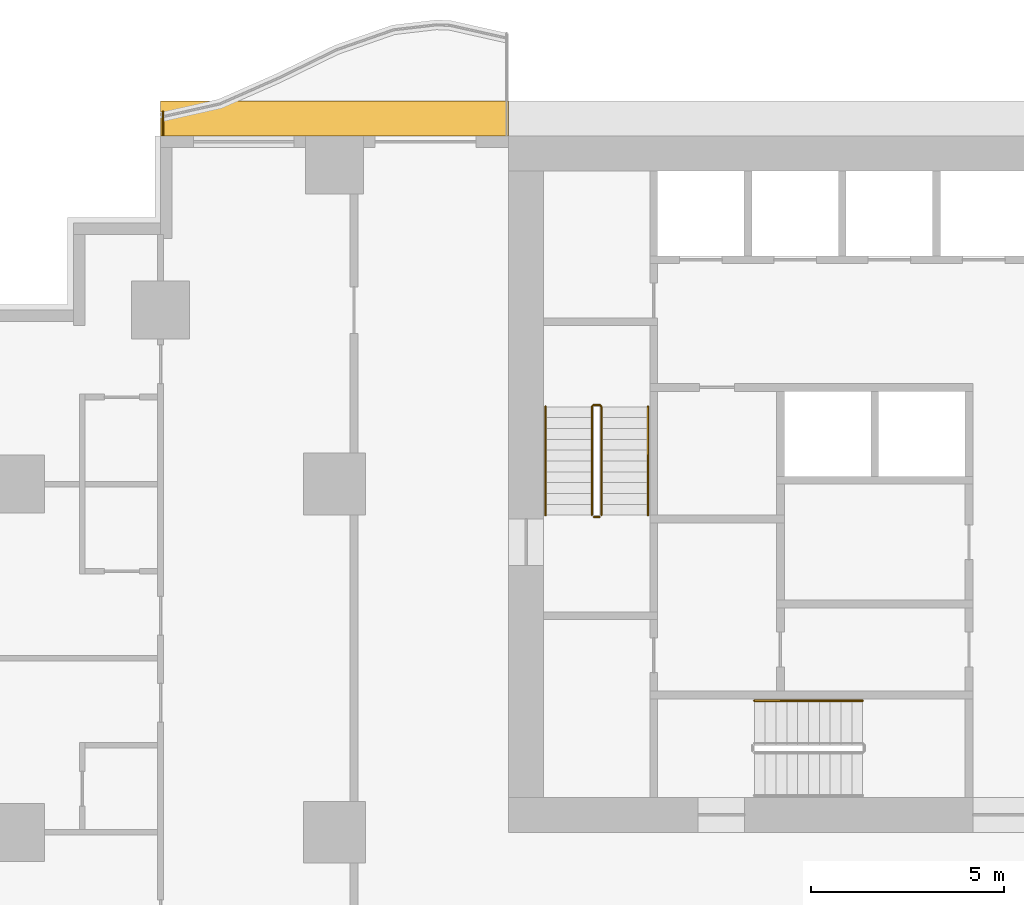
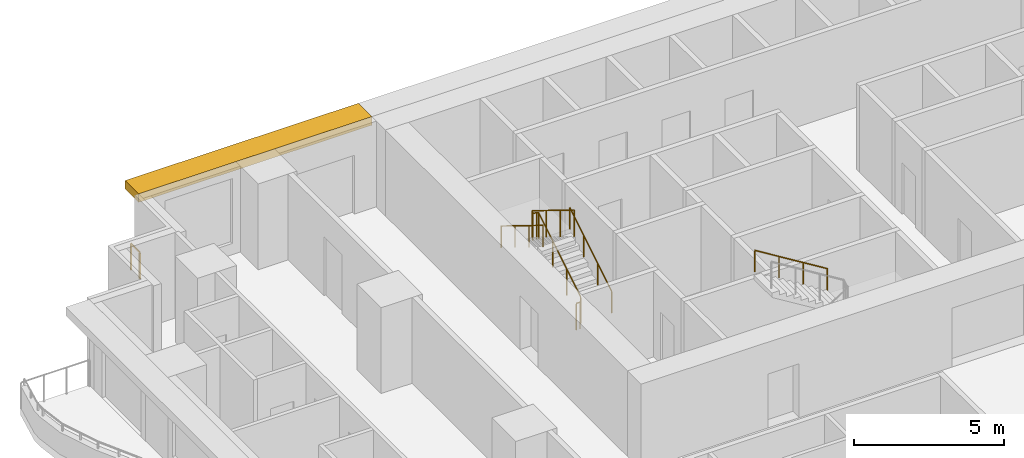
# One storey, part 12 of 14: 6 railings, 1 shading device.
"""IFC4 building model written with IfcOpenShell, lengths in metres."""

from ifc_helpers import new_model, si_unit, direction, frame, origin, origin_2d, place, context, subcontext, project, spatial, polyline, rectangle, circle, outline, extrude, material, layer, layer_set, type_object, element, save


model = new_model("IFC4")

# Units and contexts
model_context = context("Model", 3, precision=1e-05, world=origin(), true_north=direction((0.0, 1.0)))
body_context = subcontext(model_context, "Body", "Model", "MODEL_VIEW")
ifc_project = project(units=[si_unit("LENGTHUNIT", "METRE"), si_unit("AREAUNIT", "SQUARE_METRE"), si_unit("VOLUMEUNIT", "CUBIC_METRE"), si_unit("PLANEANGLEUNIT", "RADIAN"), si_unit("MASSUNIT", "GRAM", prefix="KILO")], contexts=[model_context])

# Site, building, storey
site_placement = place(None, origin())
site = spatial("IfcSite", under=ifc_project, at=site_placement, CompositionType="ELEMENT")
building_placement = place(site_placement, origin())
building = spatial("IfcBuilding", under=site, at=building_placement, Name="Orbiselva Terraces", CompositionType="ELEMENT")
storey_placement = place(building_placement, frame((0.0, 0.0, 18.8)))
storey = spatial("IfcBuildingStorey", under=building, at=storey_placement, Name="L04", CompositionType="ELEMENT", Elevation=18.8)

# Railings
ifc_material_1 = material(Name="Stainless steel", Category="steel")
railing_type_1 = type_object("IfcRailingType", Name="CORE-GUARD-1100", PredefinedType="GUARDRAIL", material=ifc_material_1)
railing_1_placement = place(storey_placement, frame((-11.1, 12.7, 0.172727)))
element("IfcRailing", 1, at=railing_1_placement, inside=storey, type_object=railing_type_1, Name="L04 S1 stair guard 1", PredefinedType="GUARDRAIL", context=body_context, shape_type="SweptSolid", body=[
    extrude(circle(Radius=0.024, at=origin_2d()), frame((0.0, 0.0, 1.081), z_axis=(0.0, 0.851088519012, 0.52502222125), x_axis=(-1.0, 0.0, 0.0)), (0.0, 0.0, 1.0), 3.289905),
    extrude(circle(Radius=0.024, at=origin_2d()), frame((0.0, 2.8, 2.808273), z_axis=(-0.707106781187, 0.707106781187, 0.0), x_axis=(-0.707106781187, -0.707106781187, 0.0)), (0.0, 0.0, 1.0), 0.070711),
    extrude(circle(Radius=0.024, at=origin_2d()), frame((-0.05, 2.85, 2.808273), z_axis=(-1.0, 0.0, 0.0), x_axis=(0.0, -1.0, 0.0)), (0.0, 0.0, 1.0), 0.15),
    extrude(circle(Radius=0.024, at=origin_2d()), frame((-0.2, 2.85, 2.808273), z_axis=(-0.267894925557, -0.267894925557, 0.925453736133), x_axis=(0.707106781187, -0.707106781187, 0.0)), (0.0, 0.0, 1.0), 0.18664),
    extrude(circle(Radius=0.024, at=origin_2d()), frame((-0.25, 2.8, 2.981), z_axis=(0.0, -0.851088519012, 0.52502222125), x_axis=(1.0, 0.0, 0.0)), (0.0, 0.0, 1.0), 3.289905),
    extrude(circle(Radius=0.021, at=origin_2d()), origin(), (0.0, 0.0, 1.0), 1.057),
    extrude(circle(Radius=0.021, at=origin_2d()), frame((0.0, 0.933333, 0.575758)), (0.0, 0.0, 1.0), 1.057),
    extrude(circle(Radius=0.021, at=origin_2d()), frame((0.0, 1.866667, 1.151515)), (0.0, 0.0, 1.0), 1.057),
    extrude(circle(Radius=0.021, at=origin_2d()), frame((0.0, 2.8, 1.727273)), (0.0, 0.0, 1.0), 1.057),
    extrude(circle(Radius=0.021, at=origin_2d()), frame((-0.05, 2.85, 1.727273)), (0.0, 0.0, 1.0), 1.057),
    extrude(circle(Radius=0.021, at=origin_2d()), frame((-0.2, 2.85, 1.727273)), (0.0, 0.0, 1.0), 1.057),
    extrude(circle(Radius=0.021, at=origin_2d()), frame((-0.25, 2.8, 1.9)), (0.0, 0.0, 1.0), 1.057),
    extrude(circle(Radius=0.021, at=origin_2d()), frame((-0.25, 1.866667, 2.475758)), (0.0, 0.0, 1.0), 1.057),
    extrude(circle(Radius=0.021, at=origin_2d()), frame((-0.25, 0.933333, 3.051515)), (0.0, 0.0, 1.0), 1.057),
    extrude(circle(Radius=0.021, at=origin_2d()), frame((-0.25, 0.0, 3.627273)), (0.0, 0.0, 1.0), 1.057),
])
railing_2_placement = place(storey_placement, frame((-11.15, 12.65, 0.0)))
element("IfcRailing", 2, at=railing_2_placement, inside=storey, type_object=railing_type_1, Name="L04 S1 stair guard 2", PredefinedType="GUARDRAIL", context=body_context, shape_type="SweptSolid", body=[
    extrude(circle(Radius=0.024, at=origin_2d()), frame((0.0, 0.0, 1.081), z_axis=(-1.0, 0.0, 0.0), x_axis=(0.0, -1.0, 0.0)), (0.0, 0.0, 1.0), 0.15),
    extrude(circle(Radius=0.021, at=origin_2d()), origin(), (0.0, 0.0, 1.0), 1.057),
    extrude(circle(Radius=0.021, at=origin_2d()), frame((-0.15, 0.0, 0.0)), (0.0, 0.0, 1.0), 1.057),
])
railing_type_2 = type_object("IfcRailingType", Name="CORE-HANDRAIL-900", PredefinedType="HANDRAIL", material=ifc_material_1)
railing_3_placement = place(storey_placement, frame((-9.9, 12.7, 0.172727)))
element("IfcRailing", 3, at=railing_3_placement, inside=storey, type_object=railing_type_2, Name="L04 S1 stair handrail 1", PredefinedType="HANDRAIL", context=body_context, shape_type="SweptSolid", body=[
    extrude(circle(Radius=0.024, at=origin_2d()), frame((0.0, 0.0, 0.876), z_axis=(0.0, 0.851088519012, 0.52502222125), x_axis=(-1.0, 0.0, 0.0)), (0.0, 0.0, 1.0), 3.289905),
    extrude(circle(Radius=0.021, at=origin_2d()), origin(), (0.0, 0.0, 1.0), 0.852),
    extrude(circle(Radius=0.021, at=origin_2d()), frame((0.0, 0.933333, 0.575758)), (0.0, 0.0, 1.0), 0.852),
    extrude(circle(Radius=0.021, at=origin_2d()), frame((0.0, 1.866667, 1.151515)), (0.0, 0.0, 1.0), 0.852),
    extrude(circle(Radius=0.021, at=origin_2d()), frame((0.0, 2.8, 1.727273)), (0.0, 0.0, 1.0), 0.852),
])
railing_4_placement = place(storey_placement, frame((-12.55, 15.5, 2.072727)))
element("IfcRailing", 4, at=railing_4_placement, inside=storey, type_object=railing_type_2, Name="L04 S1 stair handrail 2", PredefinedType="HANDRAIL", context=body_context, shape_type="SweptSolid", body=[
    extrude(circle(Radius=0.024, at=origin_2d()), frame((0.0, 0.0, 0.876), z_axis=(0.0, -0.851088519012, 0.52502222125), x_axis=(1.0, 0.0, 0.0)), (0.0, 0.0, 1.0), 3.289905),
    extrude(circle(Radius=0.021, at=origin_2d()), origin(), (0.0, 0.0, 1.0), 0.852),
    extrude(circle(Radius=0.021, at=origin_2d()), frame((0.0, -0.933333, 0.575758)), (0.0, 0.0, 1.0), 0.852),
    extrude(circle(Radius=0.021, at=origin_2d()), frame((0.0, -1.866667, 1.151515)), (0.0, 0.0, 1.0), 0.852),
    extrude(circle(Radius=0.021, at=origin_2d()), frame((0.0, -2.8, 1.727273)), (0.0, 0.0, 1.0), 0.852),
])
railing_5_placement = place(storey_placement, frame((-4.35, 7.9, 2.072727)))
element("IfcRailing", 5, at=railing_5_placement, inside=storey, type_object=railing_type_2, Name="L04 S3 stair handrail 2", PredefinedType="HANDRAIL", context=body_context, shape_type="SweptSolid", body=[
    extrude(circle(Radius=0.024, at=origin_2d()), frame((0.0, 0.0, 0.876), z_axis=(-0.851088519012, 0.0, 0.52502222125), x_axis=(0.0, -1.0, 0.0)), (0.0, 0.0, 1.0), 3.289905),
    extrude(circle(Radius=0.021, at=origin_2d()), origin(), (0.0, 0.0, 1.0), 0.852),
    extrude(circle(Radius=0.021, at=origin_2d()), frame((-0.933333, 0.0, 0.575758)), (0.0, 0.0, 1.0), 0.852),
    extrude(circle(Radius=0.021, at=origin_2d()), frame((-1.866667, 0.0, 1.151515)), (0.0, 0.0, 1.0), 0.852),
    extrude(circle(Radius=0.021, at=origin_2d()), frame((-2.8, 0.0, 1.727273)), (0.0, 0.0, 1.0), 0.852),
])
ifc_material_2 = material(Name="Stainless steel rail and posts", Category="steel")
railing_type_3 = type_object("IfcRailingType", Name="ENV-GUARD-1105", PredefinedType="BALUSTRADE", material=ifc_material_2)
railing_6_placement = place(storey_placement, frame((-22.44, 23.119866, 0.0)))
element("IfcRailing", 6, at=railing_6_placement, inside=storey, type_object=railing_type_3, Name="Balcony end guard L04 NW", PredefinedType="BALUSTRADE", context=body_context, shape_type="SweptSolid", body=[
    extrude(outline(polyline([(0.028868, 0.0), (0.014434, 0.025), (-0.014434, 0.025), (-0.028868, 0.0), (-0.014434, -0.025), (0.014434, -0.025), (0.028868, 0.0)])), frame((0.0, 0.0, 1.08), z_axis=(0.0, -1.0, 0.0), x_axis=(1.0, 0.0, 0.0)), (0.0, 0.0, 1.0), 0.594866),
    extrude(rectangle(XDim=0.05, YDim=0.05, at=origin_2d()), origin(), (0.0, 0.0, 1.0), 1.055),
    extrude(rectangle(XDim=0.05, YDim=0.05, at=origin_2d()), frame((0.0, -0.594866, 0.0)), (0.0, 0.0, 1.0), 1.055),
])

# Shading device
ifc_material_3 = material(Name="Terracotta baguette sunshade", Category="masonry")
ifc_layer = layer(ifc_material_3, 0.35)
ifc_layer_set = layer_set([ifc_layer], Name="Terracotta baguette sunshade")
shading_device_type = type_object("IfcShadingDeviceType", Name="ENV-SUNSHADE-900x350", PredefinedType="USERDEFINED", material=ifc_layer_set)
shading_device_placement = place(storey_placement, frame((0.0, 0.0, 3.15)))
element("IfcShadingDevice", 7, at=shading_device_placement, inside=storey, type_object=shading_device_type, Name="Sunshade band L04 NW", ObjectType="SUNSHADE", PredefinedType="USERDEFINED", context=body_context, shape_type="SweptSolid", body=[
    extrude(outline(polyline([(-13.5, 23.4), (-22.5, 23.4), (-22.5, 22.5), (-13.5, 22.5), (-13.5, 23.4)])), origin(), (0.0, 0.0, 1.0), 0.35),
])

save(model, "model.ifc")
